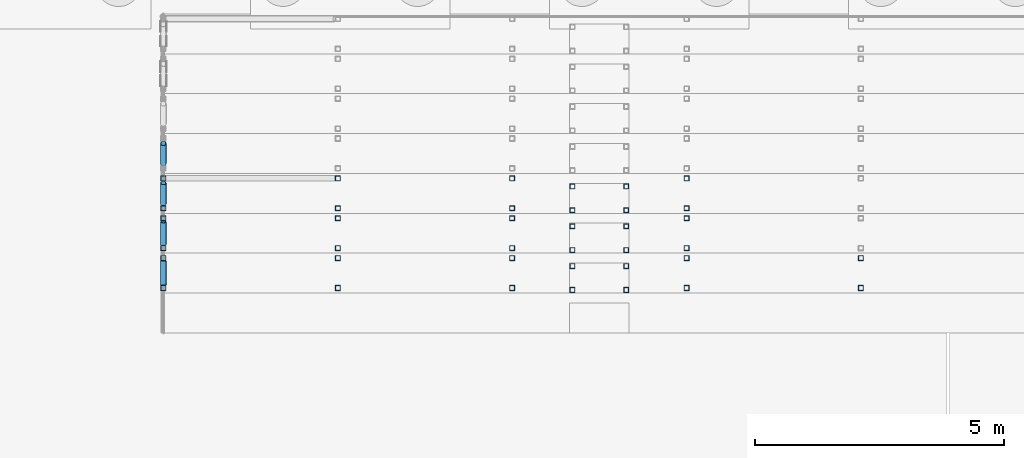
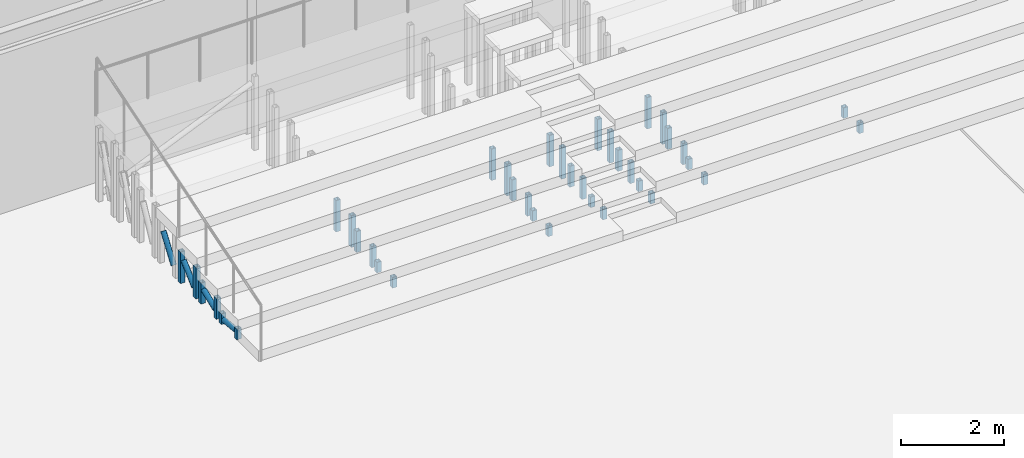
# One storey, part 62 of 139: 42 members.
"""IFC4 building model written with IfcOpenShell, lengths in metres."""

from ifc_helpers import new_model, si_unit, direction, frame, origin, origin_2d, place, context, subcontext, project, spatial, hollow_rectangle, hollow_circle, extrude, material, material_profile, profile_set, type_object, element, save


model = new_model("IFC4")

# Units and contexts
model_context = context("Model", 3, precision=1e-05, world=origin(), true_north=direction((0.0, 1.0)))
body_context = subcontext(model_context, "Body", "Model", "MODEL_VIEW")
ifc_project = project(units=[si_unit("LENGTHUNIT", "METRE"), si_unit("AREAUNIT", "SQUARE_METRE"), si_unit("VOLUMEUNIT", "CUBIC_METRE"), si_unit("PLANEANGLEUNIT", "RADIAN"), si_unit("MASSUNIT", "GRAM", prefix="KILO")], contexts=[model_context])

# Site, building, storey
site_placement = place(None, origin())
site = spatial("IfcSite", under=ifc_project, at=site_placement, CompositionType="ELEMENT")
building_placement = place(site_placement, origin())
building = spatial("IfcBuilding", under=site, at=building_placement, Name="Verrick Yard Athletic Hall", CompositionType="ELEMENT")
storey_placement = place(building_placement, origin())
storey = spatial("IfcBuildingStorey", under=building, at=storey_placement, Name="L00", CompositionType="ELEMENT", Elevation=0.0)

# Members
ifc_material = material(Name="Structural steel HSS Class C 350W (CSA G40.20/G40.21)", Category="steel")
ifc_material_profile_1 = material_profile(ifc_material, hollow_circle(Radius=0.05712890625, WallThickness=0.00634765625, at=origin_2d()), Name="HSS114x6.4")
ifc_profile_set_1 = profile_set([ifc_material_profile_1], Name="Structural steel HSS Class C 350W (CSA G40.20/G40.21)")
member_type_1 = type_object("IfcMemberType", Name="HB roof brace HSS114x6.4", PredefinedType="BRACE", material=ifc_profile_set_1)
member_1_placement = place(storey_placement, frame((36.250732421875, 94.756591796875, 0.1494140625), z_axis=(0.0, 0.995007502445, -0.099800150697), x_axis=(-1.0, 0.0, 0.0)))
element("IfcMember", 1, at=member_1_placement, inside=storey, type_object=member_type_1, Name="HB-BRS-RSB1-a2", PredefinedType="BRACE", context=body_context, shape_type="SweptSolid", body=[
    extrude(hollow_circle(Radius=0.05712890625, WallThickness=0.00634765625, at=origin_2d()), origin(), (0.0, 0.0, 1.0), 0.4892578125),
])
member_2_placement = place(storey_placement, frame((36.250732421875, 95.572021484375, 0.158447265625), z_axis=(0.0, 0.927927248066, 0.372761347643), x_axis=(-1.0, 0.0, 0.0)))
element("IfcMember", 2, at=member_2_placement, inside=storey, type_object=member_type_1, Name="HB-BRS-RSB1-a3", PredefinedType="BRACE", context=body_context, shape_type="SweptSolid", body=[
    extrude(hollow_circle(Radius=0.05712890625, WallThickness=0.00634765625, at=origin_2d()), origin(), (0.0, 0.0, 1.0), 0.4912109375),
])
member_3_placement = place(storey_placement, frame((36.250732421875, 96.38916015625, 0.1845703125), z_axis=(0.0, 0.74207506315, 0.670316791264), x_axis=(-1.0, 0.0, 0.0)))
element("IfcMember", 3, at=member_3_placement, inside=storey, type_object=member_type_1, Name="HB-BRS-RSB1-a4", PredefinedType="BRACE", context=body_context, shape_type="SweptSolid", body=[
    extrude(hollow_circle(Radius=0.05712890625, WallThickness=0.00634765625, at=origin_2d()), origin(), (0.0, 0.0, 1.0), 0.568115234375),
])
member_4_placement = place(storey_placement, frame((36.250732421875, 97.197265625, 0.21533203125), z_axis=(0.0, 0.579915574344, 0.814676577934), x_axis=(-1.0, 0.0, 0.0)))
element("IfcMember", 4, at=member_4_placement, inside=storey, type_object=member_type_1, Name="HB-BRS-RSB1-a5", PredefinedType="BRACE", context=body_context, shape_type="SweptSolid", body=[
    extrude(hollow_circle(Radius=0.05712890625, WallThickness=0.00634765625, at=origin_2d()), origin(), (0.0, 0.0, 1.0), 0.69873046875),
])
ifc_material_profile_2 = material_profile(ifc_material, hollow_rectangle(XDim=0.1015625, YDim=0.1015625, WallThickness=0.00634765625, at=origin_2d()), Name="HSS102x102x6.4")
ifc_profile_set_2 = profile_set([ifc_material_profile_2], Name="Structural steel HSS Class C 350W (CSA G40.20/G40.21)")
member_type_2 = type_object("IfcMemberType", Name="HB seating post HSS102x102x6.4", PredefinedType="POST", material=ifc_profile_set_2)
for number, where, z_axis, x_axis, name in (
    (5, (44.46044921875, 94.659912109375, 0.0), (0.0, 0.0, 1.0), (0.0, 1.0, 0.0), "HB-SP-RSB1-A1S2a"),
    (6, (45.540283203125, 94.659912109375, 0.0), (0.0, 0.0, 1.0), (0.0, 1.0, 0.0), "HB-SP-RSB1-A1S2b"),
    (7, (44.46044921875, 95.139892578125, 0.0), (0.0, 0.0, 1.0), (0.0, 1.0, 0.0), "HB-SP-RSB1-A1S2c"),
    (8, (45.540283203125, 95.139892578125, 0.0), (0.0, 0.0, 1.0), (0.0, 1.0, 0.0), "HB-SP-RSB1-A1S2d"),
    (9, (36.250732421875, 94.699951171875, 0.0), (0.0, 0.0, 1.0), (0.0, 1.0, 0.0), "HB-SP-RSB1-T2f1"),
    (10, (39.750732421875, 94.699951171875, 0.0), (0.0, 0.0, 1.0), (0.0, 1.0, 0.0), "HB-SP-RSB1-T2f2"),
    (11, (43.25048828125, 94.699951171875, 0.0), (0.0, 0.0, 1.0), (0.0, 1.0, 0.0), "HB-SP-RSB1-T2f3"),
    (12, (46.750244140625, 94.699951171875, 0.0), (0.0, 0.0, 1.0), (0.0, 1.0, 0.0), "HB-SP-RSB1-T2f4"),
    (13, (50.25, 94.699951171875, 0.0), (0.0, 0.0, 1.0), (0.0, 1.0, 0.0), "HB-SP-RSB1-T2f5"),
    (14, (36.250732421875, 95.300048828125, 0.0), (0.0, 0.0, 1.0), (0.0, 1.0, 0.0), "HB-SP-RSB1-T2b1"),
    (15, (39.750732421875, 95.300048828125, 0.0), (0.0, 0.0, 1.0), (0.0, 1.0, 0.0), "HB-SP-RSB1-T2b2"),
    (16, (43.25048828125, 95.300048828125, 0.0), (0.0, 0.0, 1.0), (0.0, 1.0, 0.0), "HB-SP-RSB1-T2b3"),
    (17, (46.750244140625, 95.300048828125, 0.0), (0.0, 0.0, 1.0), (0.0, 1.0, 0.0), "HB-SP-RSB1-T2b4"),
    (18, (50.25, 95.300048828125, 0.0), (0.0, 0.0, 1.0), (0.0, 1.0, 0.0), "HB-SP-RSB1-T2b5"),
):
    element("IfcMember", number, at=place(storey_placement, frame(where, z_axis=z_axis, x_axis=x_axis)), inside=storey, type_object=member_type_2, Name=name, PredefinedType="POST", context=body_context, shape_type="SweptSolid", body=[
        extrude(hollow_rectangle(XDim=0.1015625, YDim=0.1015625, WallThickness=0.00634765625, at=origin_2d()), origin(), (0.0, 0.0, 1.0), 0.25),
    ])
for number, where, z_axis, x_axis, name in (
    (19, (44.46044921875, 95.4599609375, 0.0), (0.0, 0.0, 1.0), (0.0, 1.0, 0.0), "HB-SP-RSB1-A1S3a"),
    (20, (45.540283203125, 95.4599609375, 0.0), (0.0, 0.0, 1.0), (0.0, 1.0, 0.0), "HB-SP-RSB1-A1S3b"),
    (21, (44.46044921875, 95.93994140625, 0.0), (0.0, 0.0, 1.0), (0.0, 1.0, 0.0), "HB-SP-RSB1-A1S3c"),
    (22, (45.540283203125, 95.93994140625, 0.0), (0.0, 0.0, 1.0), (0.0, 1.0, 0.0), "HB-SP-RSB1-A1S3d"),
    (23, (36.250732421875, 95.5, 0.0), (0.0, 0.0, 1.0), (0.0, 1.0, 0.0), "HB-SP-RSB1-T3f1"),
    (24, (39.750732421875, 95.5, 0.0), (0.0, 0.0, 1.0), (0.0, 1.0, 0.0), "HB-SP-RSB1-T3f2"),
    (25, (43.25048828125, 95.5, 0.0), (0.0, 0.0, 1.0), (0.0, 1.0, 0.0), "HB-SP-RSB1-T3f3"),
    (26, (46.750244140625, 95.5, 0.0), (0.0, 0.0, 1.0), (0.0, 1.0, 0.0), "HB-SP-RSB1-T3f4"),
    (27, (36.250732421875, 96.10009765625, 0.0), (0.0, 0.0, 1.0), (0.0, 1.0, 0.0), "HB-SP-RSB1-T3b1"),
    (28, (39.750732421875, 96.10009765625, 0.0), (0.0, 0.0, 1.0), (0.0, 1.0, 0.0), "HB-SP-RSB1-T3b2"),
    (29, (43.25048828125, 96.10009765625, 0.0), (0.0, 0.0, 1.0), (0.0, 1.0, 0.0), "HB-SP-RSB1-T3b3"),
    (30, (46.750244140625, 96.10009765625, 0.0), (0.0, 0.0, 1.0), (0.0, 1.0, 0.0), "HB-SP-RSB1-T3b4"),
):
    element("IfcMember", number, at=place(storey_placement, frame(where, z_axis=z_axis, x_axis=x_axis)), inside=storey, type_object=member_type_2, Name=name, PredefinedType="POST", context=body_context, shape_type="SweptSolid", body=[
        extrude(hollow_rectangle(XDim=0.1015625, YDim=0.1015625, WallThickness=0.00634765625, at=origin_2d()), origin(), (0.0, 0.0, 1.0), 0.5),
    ])
for number, where, z_axis, x_axis, name in (
    (31, (44.46044921875, 96.260009765625, 0.0), (0.0, 0.0, 1.0), (0.0, 1.0, 0.0), "HB-SP-RSB1-A1S4a"),
    (32, (45.540283203125, 96.260009765625, 0.0), (0.0, 0.0, 1.0), (0.0, 1.0, 0.0), "HB-SP-RSB1-A1S4b"),
    (33, (44.46044921875, 96.739990234375, 0.0), (0.0, 0.0, 1.0), (0.0, 1.0, 0.0), "HB-SP-RSB1-A1S4c"),
    (34, (45.540283203125, 96.739990234375, 0.0), (0.0, 0.0, 1.0), (0.0, 1.0, 0.0), "HB-SP-RSB1-A1S4d"),
    (35, (36.250732421875, 96.300048828125, 0.0), (0.0, 0.0, 1.0), (0.0, 1.0, 0.0), "HB-SP-RSB1-T4f1"),
    (36, (39.750732421875, 96.300048828125, 0.0), (0.0, 0.0, 1.0), (0.0, 1.0, 0.0), "HB-SP-RSB1-T4f2"),
    (37, (43.25048828125, 96.300048828125, 0.0), (0.0, 0.0, 1.0), (0.0, 1.0, 0.0), "HB-SP-RSB1-T4f3"),
    (38, (46.750244140625, 96.300048828125, 0.0), (0.0, 0.0, 1.0), (0.0, 1.0, 0.0), "HB-SP-RSB1-T4f4"),
    (39, (36.250732421875, 96.89990234375, 0.0), (0.0, 0.0, 1.0), (0.0, 1.0, 0.0), "HB-SP-RSB1-T4b1"),
    (40, (39.750732421875, 96.89990234375, 0.0), (0.0, 0.0, 1.0), (0.0, 1.0, 0.0), "HB-SP-RSB1-T4b2"),
    (41, (43.25048828125, 96.89990234375, 0.0), (0.0, 0.0, 1.0), (0.0, 1.0, 0.0), "HB-SP-RSB1-T4b3"),
    (42, (46.750244140625, 96.89990234375, 0.0), (0.0, 0.0, 1.0), (0.0, 1.0, 0.0), "HB-SP-RSB1-T4b4"),
):
    element("IfcMember", number, at=place(storey_placement, frame(where, z_axis=z_axis, x_axis=x_axis)), inside=storey, type_object=member_type_2, Name=name, PredefinedType="POST", context=body_context, shape_type="SweptSolid", body=[
        extrude(hollow_rectangle(XDim=0.1015625, YDim=0.1015625, WallThickness=0.00634765625, at=origin_2d()), origin(), (0.0, 0.0, 1.0), 0.75),
    ])

save(model, "model.ifc")
